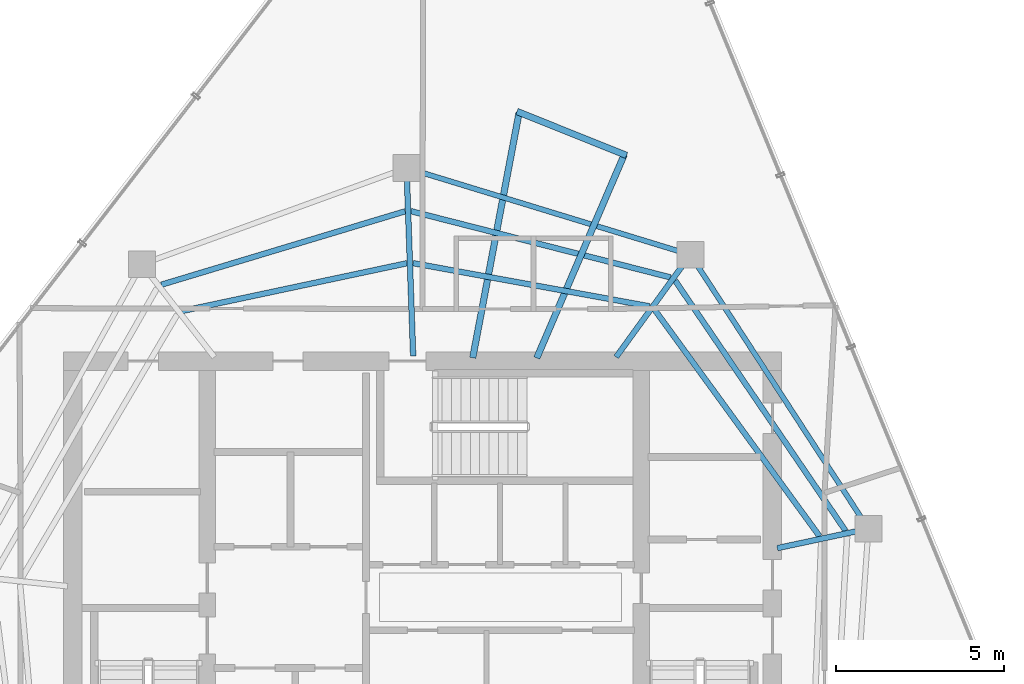
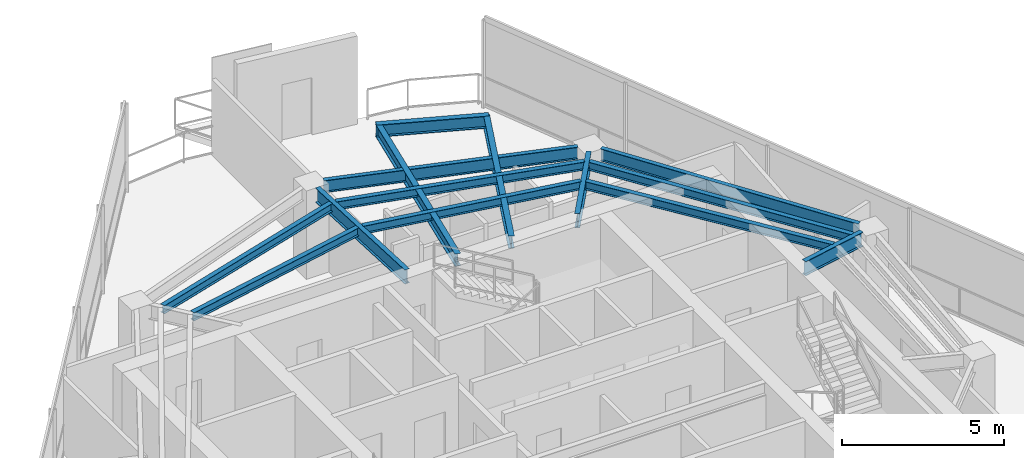
# One storey, part 9 of 19: 14 beams.
"""IFC4 building model written with IfcOpenShell, lengths in metres."""

from ifc_helpers import new_model, si_unit, direction, frame, origin, origin_2d, place, context, subcontext, project, spatial, i_section, extrude, material, material_profile, profile_set, type_object, element, save


model = new_model("IFC4")

# Units and contexts
model_context = context("Model", 3, precision=1e-05, world=origin(), true_north=direction((0.0, 1.0)))
body_context = subcontext(model_context, "Body", "Model", "MODEL_VIEW")
ifc_project = project(units=[si_unit("LENGTHUNIT", "METRE"), si_unit("AREAUNIT", "SQUARE_METRE"), si_unit("VOLUMEUNIT", "CUBIC_METRE"), si_unit("PLANEANGLEUNIT", "RADIAN"), si_unit("MASSUNIT", "GRAM", prefix="KILO")], contexts=[model_context])

# Site, building, storey
site_placement = place(None, origin())
site = spatial("IfcSite", under=ifc_project, at=site_placement, CompositionType="ELEMENT")
building_placement = place(site_placement, origin())
building = spatial("IfcBuilding", under=site, at=building_placement, Name="Qarnah Convention Tower", CompositionType="ELEMENT")
storey_placement = place(building_placement, frame((0.0, 0.0, 264.300048828125)))
storey = spatial("IfcBuildingStorey", under=building, at=storey_placement, Name="L71", CompositionType="ELEMENT", Elevation=264.300048828125)

# Beams
ifc_material = material(Name="Structural steel S355JR", Category="steel")
ifc_material_profile_1 = material_profile(ifc_material, i_section(OverallWidth=0.19189453125, OverallDepth=0.464111328125, WebThickness=0.010986328125, FlangeThickness=0.01806640625, at=origin_2d()), Name="W460X89")
ifc_profile_set_1 = profile_set([ifc_material_profile_1], Name="Structural steel S355JR")
beam_type_1 = type_object("IfcBeamType", Name="BM-CANT-W460A", PredefinedType="BEAM", material=ifc_profile_set_1)
beam_1_placement = place(storey_placement, frame((38.694091796875, 34.298095703125, 3.087890625), z_axis=(0.185836759901, 0.982580632146, 0.0), x_axis=(-0.982580632146, 0.185836759901, 0.0)))
element("IfcBeam", 1, at=beam_1_placement, inside=storey, type_object=beam_type_1, Name="L71 beam BM-L71-CNT-01-1", PredefinedType="BEAM", context=body_context, shape_type="SweptSolid", body=[
    extrude(i_section(OverallWidth=0.19189453125, OverallDepth=0.464111328125, WebThickness=0.010986328125, FlangeThickness=0.01806640625, at=origin_2d()), origin(), (0.0, 0.0, 1.0), 7.42529296875),
])
beam_2_placement = place(storey_placement, frame((40.596923828125, 34.2919921875, 3.087890625), z_axis=(0.395203303624, 0.918593679929, 0.0), x_axis=(-0.918593679929, 0.395203303624, 0.0)))
element("IfcBeam", 2, at=beam_2_placement, inside=storey, type_object=beam_type_1, Name="L71 beam BM-L71-CNT-01-2", PredefinedType="BEAM", context=body_context, shape_type="SweptSolid", body=[
    extrude(i_section(OverallWidth=0.19189453125, OverallDepth=0.464111328125, WebThickness=0.010986328125, FlangeThickness=0.01806640625, at=origin_2d()), origin(), (0.0, 0.0, 1.0), 6.583984375),
])
beam_3_placement = place(storey_placement, frame((40.009033203125, 41.6201171875, 3.087890625), z_axis=(0.928063247738, -0.372422620417, 0.0), x_axis=(0.372422620417, 0.928063247738, 0.0)))
element("IfcBeam", 3, at=beam_3_placement, inside=storey, type_object=beam_type_1, Name="L71 spandrel BM-L71-CTIE-01", PredefinedType="SPANDREL", context=body_context, shape_type="SweptSolid", body=[
    extrude(i_section(OverallWidth=0.19189453125, OverallDepth=0.464111328125, WebThickness=0.010986328125, FlangeThickness=0.01806640625, at=origin_2d()), origin(), (0.0, 0.0, 1.0), 3.507080078125),
])
ifc_material_profile_2 = material_profile(ifc_material, i_section(OverallWidth=0.166015625, OverallDepth=0.31201171875, WebThickness=0.007080078125, FlangeThickness=0.010986328125, at=origin_2d()), Name="W310X45")
ifc_profile_set_2 = profile_set([ifc_material_profile_2], Name="Structural steel S355JR")
beam_type_2 = type_object("IfcBeamType", Name="BM-JST-W310", PredefinedType="JOIST", material=ifc_profile_set_2)
beam_4_placement = place(storey_placement, frame((49.77490234375, 29.156982421875, 3.1640625), z_axis=(-0.563001631712, 0.826455783869, 0.0), x_axis=(-0.826455783869, -0.563001631712, 0.0)))
element("IfcBeam", 4, at=beam_4_placement, inside=storey, type_object=beam_type_2, Name="L71 joist BM-L71-SJST-01", PredefinedType="JOIST", context=body_context, shape_type="SweptSolid", body=[
    extrude(i_section(OverallWidth=0.166015625, OverallDepth=0.31201171875, WebThickness=0.007080078125, FlangeThickness=0.010986328125, at=origin_2d()), origin(), (0.0, 0.0, 1.0), 8.996337890625),
])
beam_5_placement = place(storey_placement, frame((44.572021484375, 36.68798828125, 3.1640625), z_axis=(-0.968934754796, 0.247316479331, 0.0), x_axis=(-0.247316479331, -0.968934754796, 0.0)))
element("IfcBeam", 5, at=beam_5_placement, inside=storey, type_object=beam_type_2, Name="L71 joist BM-L71-SJST-02", PredefinedType="JOIST", context=body_context, shape_type="SweptSolid", body=[
    extrude(i_section(OverallWidth=0.166015625, OverallDepth=0.31201171875, WebThickness=0.007080078125, FlangeThickness=0.010986328125, at=origin_2d()), origin(), (0.0, 0.0, 1.0), 7.96142578125),
])
beam_6_placement = place(storey_placement, frame((36.68505859375, 38.653076171875, 3.1640625), z_axis=(-0.957523859176, -0.288354051661, 0.0), x_axis=(0.288354051661, -0.957523859176, 0.0)))
element("IfcBeam", 6, at=beam_6_placement, inside=storey, type_object=beam_type_2, Name="L71 joist BM-L71-SJST-03", PredefinedType="JOIST", context=body_context, shape_type="SweptSolid", body=[
    extrude(i_section(OverallWidth=0.166015625, OverallDepth=0.31201171875, WebThickness=0.007080078125, FlangeThickness=0.010986328125, at=origin_2d()), origin(), (0.0, 0.0, 1.0), 7.567626953125),
])
beam_7_placement = place(storey_placement, frame((49.0029296875, 28.992919921875, 3.1640625), z_axis=(-0.588556041219, 0.808456422045, 0.0), x_axis=(-0.808456422045, -0.588556041219, 0.0)))
element("IfcBeam", 7, at=beam_7_placement, inside=storey, type_object=beam_type_2, Name="L71 joist BM-L71-IJST-01", PredefinedType="JOIST", context=body_context, shape_type="SweptSolid", body=[
    extrude(i_section(OverallWidth=0.166015625, OverallDepth=0.31201171875, WebThickness=0.007080078125, FlangeThickness=0.010986328125, at=origin_2d()), origin(), (0.0, 0.0, 1.0), 8.345703125),
])
beam_8_placement = place(storey_placement, frame((43.948974609375, 35.8291015625, 3.1640625), z_axis=(-0.983774174693, 0.179411184731, 0.0), x_axis=(-0.179411184731, -0.983774174693, 0.0)))
element("IfcBeam", 8, at=beam_8_placement, inside=storey, type_object=beam_type_2, Name="L71 joist BM-L71-IJST-02", PredefinedType="JOIST", context=body_context, shape_type="SweptSolid", body=[
    extrude(i_section(OverallWidth=0.166015625, OverallDepth=0.31201171875, WebThickness=0.007080078125, FlangeThickness=0.010986328125, at=origin_2d()), origin(), (0.0, 0.0, 1.0), 7.15087890625),
])
beam_9_placement = place(storey_placement, frame((36.737060546875, 37.10888671875, 3.1640625), z_axis=(-0.978144875608, -0.207924511115, 0.0), x_axis=(0.207924511115, -0.978144875608, 0.0)))
element("IfcBeam", 9, at=beam_9_placement, inside=storey, type_object=beam_type_2, Name="L71 joist BM-L71-IJST-03", PredefinedType="JOIST", context=body_context, shape_type="SweptSolid", body=[
    extrude(i_section(OverallWidth=0.166015625, OverallDepth=0.31201171875, WebThickness=0.007080078125, FlangeThickness=0.010986328125, at=origin_2d()), origin(), (0.0, 0.0, 1.0), 6.83837890625),
])
ifc_material_profile_3 = material_profile(ifc_material, i_section(OverallWidth=0.166015625, OverallDepth=0.535888671875, WebThickness=0.010009765625, FlangeThickness=0.01708984375, at=origin_2d()), Name="W530X85")
ifc_profile_set_3 = profile_set([ifc_material_profile_3], Name="Structural steel S355JR")
beam_type_3 = type_object("IfcBeamType", Name="BM-RAD-W530B", PredefinedType="BEAM", material=ifc_profile_set_3)
beam_10_placement = place(storey_placement, frame((47.7470703125, 28.64111328125, 3.052001953125), z_axis=(0.978103714349, 0.20811805298, 0.0), x_axis=(-0.20811805298, 0.978103714349, 0.0)))
element("IfcBeam", 10, at=beam_10_placement, inside=storey, type_object=beam_type_3, Name="L71 beam BM-L71-RAD-01", PredefinedType="BEAM", context=body_context, shape_type="SweptSolid", body=[
    extrude(i_section(OverallWidth=0.166015625, OverallDepth=0.535888671875, WebThickness=0.010009765625, FlangeThickness=0.01708984375, at=origin_2d()), origin(), (0.0, 0.0, 1.0), 2.38720703125),
])
beam_11_placement = place(storey_placement, frame((42.955078125, 34.321044921875, 3.052001953125), z_axis=(0.587699029113, 0.809079632162, 0.0), x_axis=(-0.809079632162, 0.587699029113, 0.0)))
element("IfcBeam", 11, at=beam_11_placement, inside=storey, type_object=beam_type_3, Name="L71 beam BM-L71-RAD-02", PredefinedType="BEAM", context=body_context, shape_type="SweptSolid", body=[
    extrude(i_section(OverallWidth=0.166015625, OverallDepth=0.535888671875, WebThickness=0.010009765625, FlangeThickness=0.01708984375, at=origin_2d()), origin(), (0.0, 0.0, 1.0), 3.37890625),
])
beam_12_placement = place(storey_placement, frame((36.923095703125, 34.35009765625, 3.052001953125), z_axis=(-0.035110435588, 0.999383438582, 0.0), x_axis=(-0.999383438582, -0.035110435588, 0.0)))
element("IfcBeam", 12, at=beam_12_placement, inside=storey, type_object=beam_type_3, Name="L71 beam BM-L71-RAD-03", PredefinedType="BEAM", context=body_context, shape_type="SweptSolid", body=[
    extrude(i_section(OverallWidth=0.166015625, OverallDepth=0.535888671875, WebThickness=0.010009765625, FlangeThickness=0.01708984375, at=origin_2d()), origin(), (0.0, 0.0, 1.0), 5.215087890625),
])
ifc_material_profile_4 = material_profile(ifc_material, i_section(OverallWidth=0.154052734375, OverallDepth=0.4599609375, WebThickness=0.009033203125, FlangeThickness=0.014892578125, at=origin_2d()), Name="W460X68")
ifc_profile_set_4 = profile_set([ifc_material_profile_4], Name="Structural steel S355JR")
beam_type_4 = type_object("IfcBeamType", Name="BM-SPN-W460B", PredefinedType="SPANDREL", material=ifc_profile_set_4)
beam_13_placement = place(storey_placement, frame((50.241943359375, 29.5439453125, 3.08984375), z_axis=(-0.544739511184, 0.838605309401, 0.0), x_axis=(-0.838605309401, -0.544739511184, 0.0)))
element("IfcBeam", 13, at=beam_13_placement, inside=storey, type_object=beam_type_4, Name="L71 spandrel BM-L71-SPN-01", PredefinedType="SPANDREL", context=body_context, shape_type="SweptSolid", body=[
    extrude(i_section(OverallWidth=0.154052734375, OverallDepth=0.4599609375, WebThickness=0.009033203125, FlangeThickness=0.014892578125, at=origin_2d()), origin(), (0.0, 0.0, 1.0), 8.9326171875),
])
beam_14_placement = place(storey_placement, frame((44.791015625, 37.47607421875, 3.08984375), z_axis=(-0.95628886523, 0.292423675918, 0.0), x_axis=(-0.292423675918, -0.95628886523, 0.0)))
element("IfcBeam", 14, at=beam_14_placement, inside=storey, type_object=beam_type_4, Name="L71 spandrel BM-L71-SPN-02", PredefinedType="SPANDREL", context=body_context, shape_type="SweptSolid", body=[
    extrude(i_section(OverallWidth=0.154052734375, OverallDepth=0.4599609375, WebThickness=0.009033203125, FlangeThickness=0.014892578125, at=origin_2d()), origin(), (0.0, 0.0, 1.0), 8.04248046875),
])

save(model, "model.ifc")
